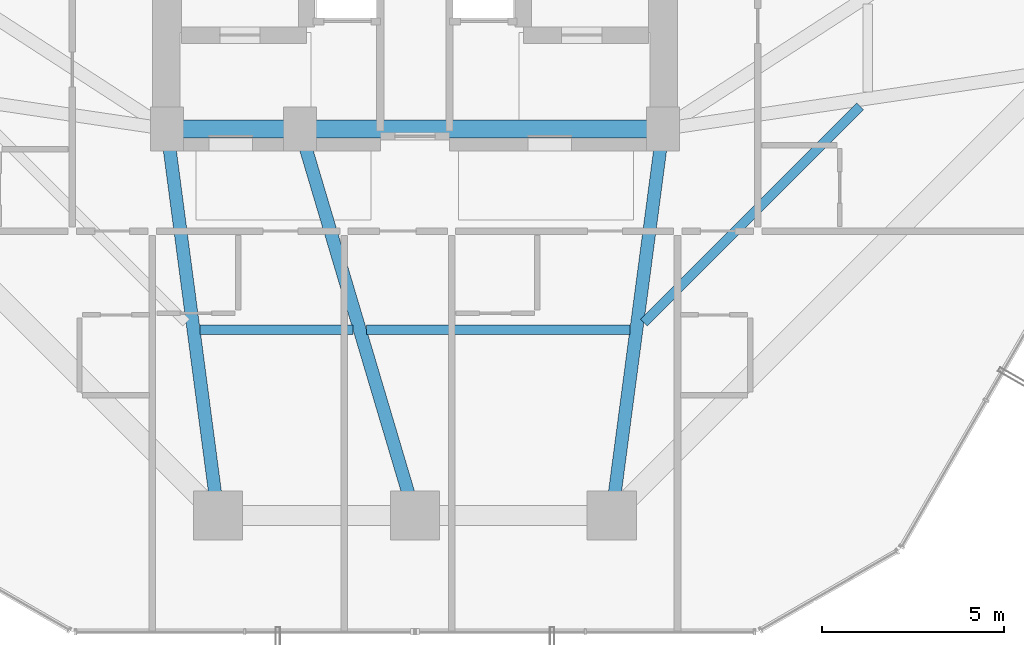
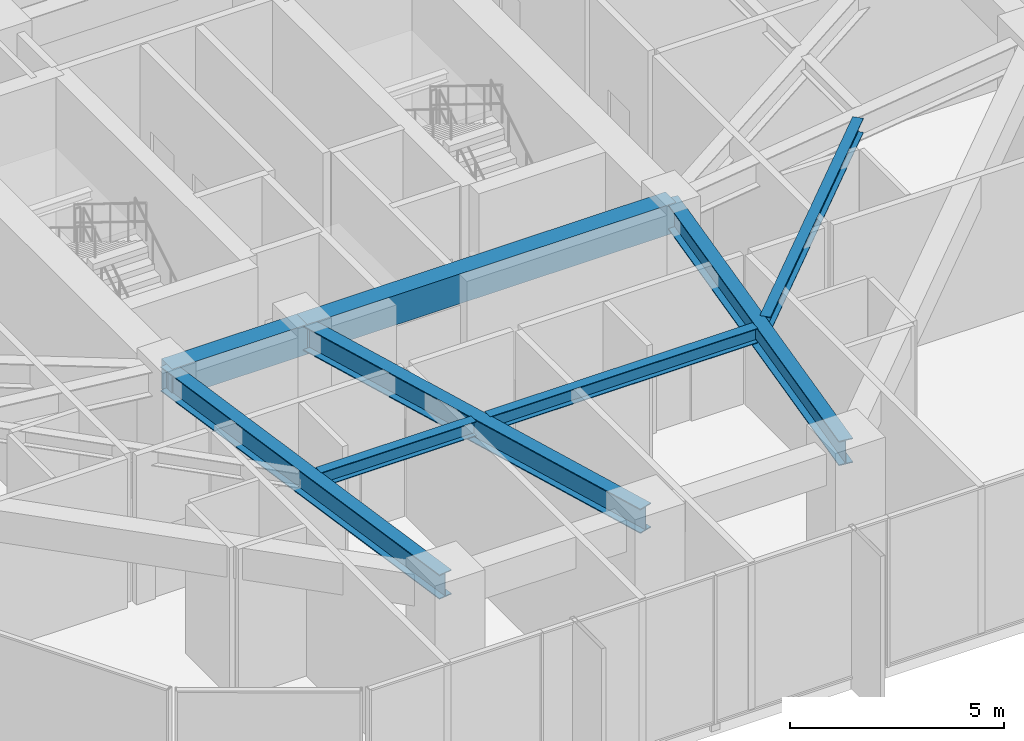
# One storey, part 9 of 39: 8 beams.
"""IFC4 building model written with IfcOpenShell, lengths in metres."""

from ifc_helpers import new_model, si_unit, direction, frame, origin, origin_2d, place, context, subcontext, project, spatial, rectangle, i_section, extrude, material, material_profile, profile_set, type_object, element, save


model = new_model("IFC4")

# Units and contexts
model_context = context("Model", 3, precision=1e-05, world=origin(), true_north=direction((0.0, 1.0)))
body_context = subcontext(model_context, "Body", "Model", "MODEL_VIEW")
ifc_project = project(units=[si_unit("LENGTHUNIT", "METRE"), si_unit("AREAUNIT", "SQUARE_METRE"), si_unit("VOLUMEUNIT", "CUBIC_METRE"), si_unit("PLANEANGLEUNIT", "RADIAN"), si_unit("MASSUNIT", "GRAM", prefix="KILO")], contexts=[model_context])

# Site, building, storey
site_placement = place(None, origin())
site = spatial("IfcSite", under=ifc_project, at=site_placement, CompositionType="ELEMENT")
building_placement = place(site_placement, origin())
building = spatial("IfcBuilding", under=site, at=building_placement, Name="Veraguas Prism Commons", CompositionType="ELEMENT")
storey_placement = place(building_placement, frame((0.0, 0.0, 22.800048828125)))
storey = spatial("IfcBuildingStorey", under=building, at=storey_placement, Name="L05", CompositionType="ELEMENT", Elevation=22.800048828125)

# Beams
ifc_material_1 = material(Name="Concrete C50/60", Category="concrete")
ifc_material_profile_1 = material_profile(ifc_material_1, rectangle(XDim=0.5, YDim=0.85009765625, at=origin_2d()), Name="RC500X850")
ifc_profile_set_1 = profile_set([ifc_material_profile_1], Name="Concrete C50/60")
beam_type_1 = type_object("IfcBeamType", Name="Core Coupling Beam RC 500x850", PredefinedType="BEAM", material=ifc_profile_set_1)
beam_1_placement = place(storey_placement, frame((17.199951171875, 17.0, 3.824951171875), z_axis=(1.0, 0.0, 0.0), x_axis=(0.0, 1.0, 0.0)))
element("IfcBeam", 1, at=beam_1_placement, inside=storey, type_object=beam_type_1, Name="Core Coupling Beam L05-CRS1", PredefinedType="BEAM", context=body_context, shape_type="SweptSolid", body=[
    extrude(rectangle(XDim=0.5, YDim=0.85009765625, at=origin_2d()), origin(), (0.0, 0.0, 1.0), 3.650146484375),
])
beam_2_placement = place(storey_placement, frame((20.85009765625, 17.0, 3.824951171875), z_axis=(1.0, 0.0, 0.0), x_axis=(0.0, 1.0, 0.0)))
element("IfcBeam", 2, at=beam_2_placement, inside=storey, type_object=beam_type_1, Name="Core Coupling Beam L05-CRS2", PredefinedType="BEAM", context=body_context, shape_type="SweptSolid", body=[
    extrude(rectangle(XDim=0.5, YDim=0.85009765625, at=origin_2d()), origin(), (0.0, 0.0, 1.0), 9.949951171875),
])
ifc_material_2 = material(Name="Steel ASTM A992 Grade 50", Category="steel")
ifc_material_profile_2 = material_profile(ifc_material_2, i_section(OverallWidth=0.260986328125, OverallDepth=0.419921875, WebThickness=0.01171875, FlangeThickness=0.019287109375, at=origin_2d()), Name="W410X114")
ifc_profile_set_2 = profile_set([ifc_material_profile_2], Name="Steel ASTM A992 Grade 50")
beam_type_2 = type_object("IfcBeamType", Name="Lower Floor Joist W410x114", PredefinedType="JOIST", material=ifc_profile_set_2)
beam_3_placement = place(storey_placement, frame((18.10546875, 11.488037109375, 4.0400390625), z_axis=(1.0, 0.0, 0.0), x_axis=(0.0, 1.0, 0.0)))
element("IfcBeam", 3, at=beam_3_placement, inside=storey, type_object=beam_type_2, Name="Composite Floor Joist L05-JS10", PredefinedType="JOIST", context=body_context, shape_type="SweptSolid", body=[
    extrude(i_section(OverallWidth=0.260986328125, OverallDepth=0.419921875, WebThickness=0.01171875, FlangeThickness=0.019287109375, at=origin_2d()), origin(), (0.0, 0.0, 1.0), 4.198974609375),
])
beam_4_placement = place(storey_placement, frame((22.671630859375, 11.488037109375, 4.0400390625), z_axis=(1.0, 0.0, 0.0), x_axis=(0.0, 1.0, 0.0)))
element("IfcBeam", 4, at=beam_4_placement, inside=storey, type_object=beam_type_2, Name="Composite Floor Joist L05-JS11", PredefinedType="JOIST", context=body_context, shape_type="SweptSolid", body=[
    extrude(i_section(OverallWidth=0.260986328125, OverallDepth=0.419921875, WebThickness=0.01171875, FlangeThickness=0.019287109375, at=origin_2d()), origin(), (0.0, 0.0, 1.0), 7.222900390625),
])
beam_5_placement = place(storey_placement, frame((30.276611328125, 11.6923828125, 4.0400390625), z_axis=(0.707092226423, 0.70712133565, 0.0), x_axis=(-0.70712133565, 0.707092226423, 0.0)))
element("IfcBeam", 5, at=beam_5_placement, inside=storey, type_object=beam_type_2, Name="Composite Floor Joist L05-JS12", PredefinedType="JOIST", context=body_context, shape_type="SweptSolid", body=[
    extrude(i_section(OverallWidth=0.260986328125, OverallDepth=0.419921875, WebThickness=0.01171875, FlangeThickness=0.019287109375, at=origin_2d()), origin(), (0.0, 0.0, 1.0), 8.386962890625),
])
ifc_material_profile_3 = material_profile(ifc_material_2, i_section(OverallWidth=0.35595703125, OverallDepth=0.700927734375, WebThickness=0.016845703125, FlangeThickness=0.02734375, at=origin_2d()), Name="W690X240")
ifc_profile_set_3 = profile_set([ifc_material_profile_3], Name="Steel ASTM A992 Grade 50")
beam_type_3 = type_object("IfcBeamType", Name="Zone 1 Radial Girder W690x240", PredefinedType="BEAM", material=ifc_profile_set_3)
beam_6_placement = place(storey_placement, frame((18.60009765625, 6.39990234375, 3.8994140625), z_axis=(-0.130950648891, 0.991388888154, 0.0), x_axis=(-0.991388888154, -0.130950648891, 0.0)))
element("IfcBeam", 6, at=beam_6_placement, inside=storey, type_object=beam_type_3, Name="Radial Floor Girder L05-RD10", PredefinedType="BEAM", context=body_context, shape_type="SweptSolid", body=[
    extrude(i_section(OverallWidth=0.35595703125, OverallDepth=0.700927734375, WebThickness=0.016845703125, FlangeThickness=0.02734375, at=origin_2d()), origin(), (0.0, 0.0, 1.0), 10.692138671875),
])
beam_7_placement = place(storey_placement, frame((24.0, 6.39990234375, 3.8994140625), z_axis=(-0.28484745997, 0.958572858237, 0.0), x_axis=(-0.958572858237, -0.28484745997, 0.0)))
element("IfcBeam", 7, at=beam_7_placement, inside=storey, type_object=beam_type_3, Name="Radial Floor Girder L05-RD11", PredefinedType="BEAM", context=body_context, shape_type="SweptSolid", body=[
    extrude(i_section(OverallWidth=0.35595703125, OverallDepth=0.700927734375, WebThickness=0.016845703125, FlangeThickness=0.02734375, at=origin_2d()), origin(), (0.0, 0.0, 1.0), 11.05810546875),
])
beam_8_placement = place(storey_placement, frame((29.39990234375, 6.39990234375, 3.8994140625), z_axis=(0.130950648891, 0.991388888154, 0.0), x_axis=(-0.991388888154, 0.130950648891, 0.0)))
element("IfcBeam", 8, at=beam_8_placement, inside=storey, type_object=beam_type_3, Name="Radial Floor Girder L05-RD12", PredefinedType="BEAM", context=body_context, shape_type="SweptSolid", body=[
    extrude(i_section(OverallWidth=0.35595703125, OverallDepth=0.700927734375, WebThickness=0.016845703125, FlangeThickness=0.02734375, at=origin_2d()), origin(), (0.0, 0.0, 1.0), 10.692138671875),
])

save(model, "model.ifc")
